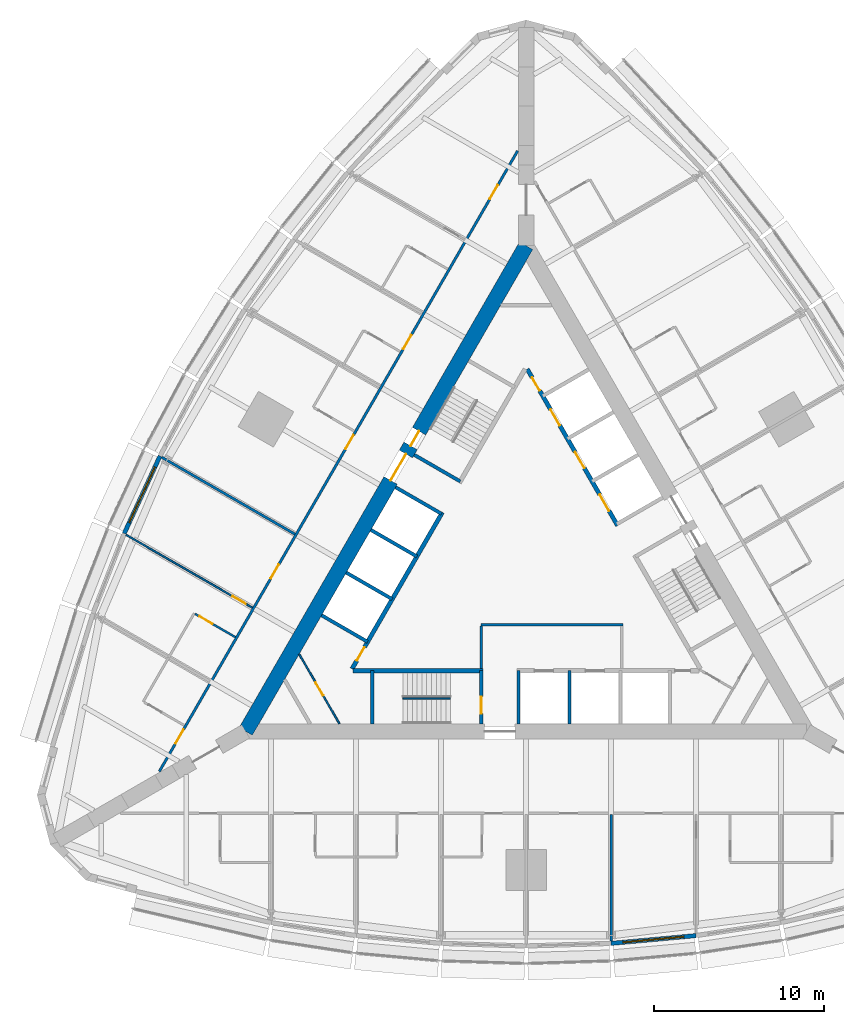
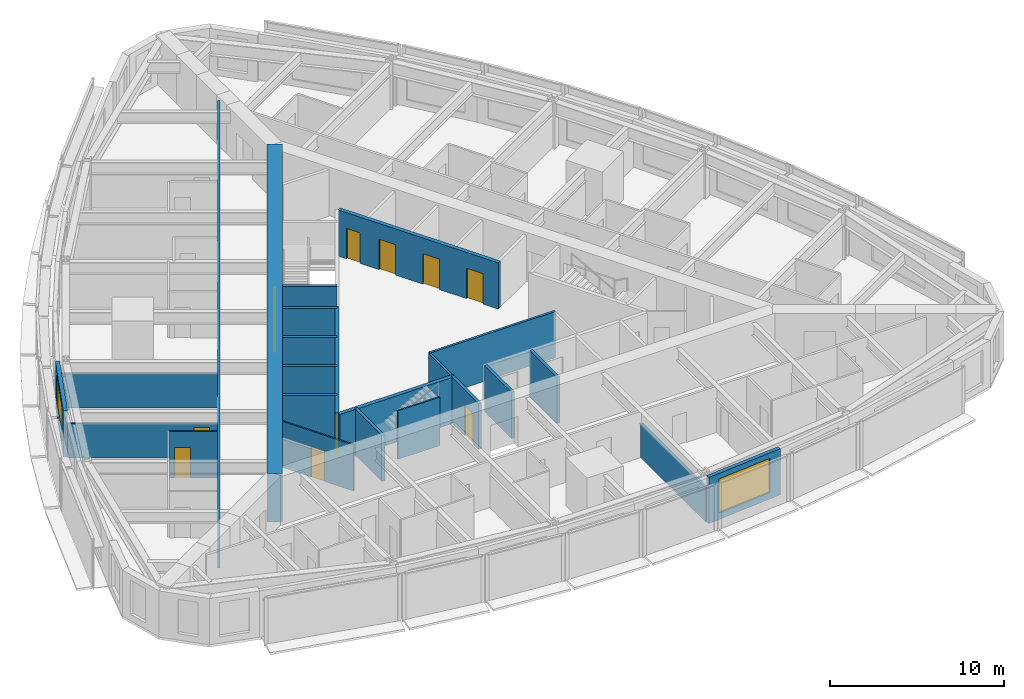
# One storey, part 9 of 14: 24 walls, 16 doors, 2 windows, 18 openings.
"""IFC4 building model written with IfcOpenShell, lengths in metres."""

from ifc_helpers import new_model, si_unit, direction, frame, frame_2d, origin, place, context, subcontext, project, spatial, rectangle, extrude, material, layer, layer_set, type_object, element, fill, save


model = new_model("IFC4")

# Units and contexts
model_context = context("Model", 3, precision=1e-05, world=origin(), true_north=direction((0.0, 1.0)))
body_context = subcontext(model_context, "Body", "Model", "MODEL_VIEW")
ifc_project = project(units=[si_unit("LENGTHUNIT", "METRE"), si_unit("AREAUNIT", "SQUARE_METRE"), si_unit("VOLUMEUNIT", "CUBIC_METRE"), si_unit("PLANEANGLEUNIT", "RADIAN"), si_unit("MASSUNIT", "GRAM", prefix="KILO")], contexts=[model_context])

# Site, building, storey
site_placement = place(None, origin())
site = spatial("IfcSite", under=ifc_project, at=site_placement, CompositionType="ELEMENT")
building_placement = place(site_placement, origin())
building = spatial("IfcBuilding", under=site, at=building_placement, Name="Trikona Tower", CompositionType="ELEMENT")
storey_placement = place(building_placement, frame((0.0, 0.0, 59.10009765625)))
storey = spatial("IfcBuildingStorey", under=building, at=storey_placement, Name="L14", CompositionType="ELEMENT", Elevation=59.10009765625)

# Wall, opening, door
ifc_material_1 = material(Name="Metal stud and cement board", Category="gypsum")
ifc_layer_1 = layer(ifc_material_1, 0.1201171875)
ifc_layer_set_1 = layer_set([ifc_layer_1], Name="Bathroom wall 120")
wall_type_1 = type_object("IfcWallType", Name="Bathroom wall 120", PredefinedType="PLUMBINGWALL", material=ifc_layer_set_1)
wall_1_placement = place(storey_placement, frame((-17.10791015625, -3.979248046875, 0.0), z_axis=(0.0, 0.0, 1.0), x_axis=(-0.865997131366, 0.500048966069, 0.0)))
wall_1 = element("IfcWall", 1, at=wall_1_placement, inside=storey, type_object=wall_type_1, Name="Bathroom wall 1416.1", PredefinedType="PLUMBINGWALL", context=body_context, shape_type="SweptSolid", body=[
    extrude(rectangle(XDim=2.739990234375, YDim=0.1201171875, at=frame_2d((1.3701171875, 0.0))), origin(), (0.0, 0.0, 1.0), 3.23486328125),
])
opening_1_placement = place(wall_1_placement, frame((1.550048828125, 0.0, 0.0)))
opening_1 = element("IfcOpeningElement", 2, at=opening_1_placement, cuts=wall_1, Name="Opening D2", PredefinedType="OPENING", context=body_context, shape_type="SweptSolid", body=[
    extrude(rectangle(XDim=0.89990234375, YDim=2.1298828125, at=frame_2d((0.449951171875, 1.06494140625))), frame((0.0, 0.070068359375, 0.0), z_axis=(0.0, -1.0, 0.0), x_axis=(1.0, 0.0, 0.0)), (0.0, 0.0, 1.0), 0.14013671875),
])
ifc_material_2 = material(Name="Steel door frame with solid-core timber leaf", Category="steel")
door_type_1 = type_object("IfcDoorType", Name="Bathroom door 900x2130", OperationType="SLIDING_TO_LEFT", PredefinedType="DOOR", material=ifc_material_2)
door_1_placement = place(opening_1_placement, origin())
door_1 = element("IfcDoor", 3, at=door_1_placement, inside=storey, type_object=door_type_1, Name="Bathroom door 1416.1", OperationType="SLIDING_TO_LEFT", OverallHeight=2.1298828125, OverallWidth=0.89990234375, PredefinedType="DOOR", context=body_context, shape_type="SweptSolid", body=[
    extrude(rectangle(XDim=0.89990234375, YDim=2.1298828125, at=frame_2d((0.449951171875, 1.06494140625))), frame((0.0, 0.02490234375, 0.0), z_axis=(0.0, -1.0, 0.0), x_axis=(1.0, 0.0, 0.0)), (0.0, 0.0, 1.0), 0.050048828125),
])
fill(opening_1, door_1)

# Wall, openings, doors
ifc_material_3 = material(Name="Concrete f'c 10000 psi", Category="concrete")
ifc_layer_2 = layer(ifc_material_3, 0.89990234375)
ifc_layer_set_2 = layer_set([ifc_layer_2], Name="Core wall 900")
wall_type_2 = type_object("IfcWallType", Name="Core wall 900", PredefinedType="SHEAR", material=ifc_layer_set_2)
wall_2_placement = place(storey_placement, frame((0.0, 19.052490234375, 0.0), z_axis=(0.0, 0.0, 1.0), x_axis=(-0.499999749417, -0.866025548458, 0.0)))
wall_2 = element("IfcWall", 4, at=wall_2_placement, inside=storey, type_object=wall_type_2, Name="Core wall C", PredefinedType="SHEAR", context=body_context, shape_type="SweptSolid", body=[
    extrude(rectangle(XDim=33.0, YDim=0.89990234375, at=frame_2d((16.5, 0.0))), origin(), (0.0, 0.0, 1.0), 3.39990234375),
])
opening_2_placement = place(wall_2_placement, frame((14.14990234375, 0.0, 0.0)))
opening_2 = element("IfcOpeningElement", 5, at=opening_2_placement, cuts=wall_2, Name="Opening D6", PredefinedType="OPENING", context=body_context, shape_type="SweptSolid", body=[
    extrude(rectangle(XDim=1.800048828125, YDim=2.1298828125, at=frame_2d((0.89990234375, 1.06494140625))), frame((0.0, 0.4599609375, 0.0), z_axis=(0.0, -1.0, 0.0), x_axis=(1.0, 0.0, 0.0)), (0.0, 0.0, 1.0), 0.919921875),
])
opening_3_placement = place(wall_2_placement, frame((12.60009765625, 0.0, 0.0)))
opening_3 = element("IfcOpeningElement", 6, at=opening_3_placement, cuts=wall_2, Name="Opening D5", PredefinedType="OPENING", context=body_context, shape_type="SweptSolid", body=[
    extrude(rectangle(XDim=1.0, YDim=2.1298828125, at=frame_2d((0.5, 1.06494140625))), frame((0.0, 0.4599609375, 0.0), z_axis=(0.0, -1.0, 0.0), x_axis=(1.0, 0.0, 0.0)), (0.0, 0.0, 1.0), 0.919921875),
])
ifc_material_4 = material(Name="Hollow metal door and frame", Category="steel")
door_type_2 = type_object("IfcDoorType", Name="Lobby door pair 1800x2130", OperationType="DOUBLE_DOOR_SINGLE_SWING", PredefinedType="DOOR", material=ifc_material_4)
door_2_placement = place(opening_2_placement, origin())
door_2 = element("IfcDoor", 7, at=door_2_placement, inside=storey, type_object=door_type_2, Name="Lift lobby door C", OperationType="DOUBLE_DOOR_SINGLE_SWING", OverallHeight=2.1298828125, OverallWidth=1.800048828125, PredefinedType="DOOR", context=body_context, shape_type="SweptSolid", body=[
    extrude(rectangle(XDim=1.800048828125, YDim=2.1298828125, at=frame_2d((0.89990234375, 1.06494140625))), frame((0.0, 0.02490234375, 0.0), z_axis=(0.0, -1.0, 0.0), x_axis=(1.0, 0.0, 0.0)), (0.0, 0.0, 1.0), 0.050048828125),
])
fill(opening_2, door_2)
ifc_material_5 = material(Name="Hollow metal door and frame", Category="steel")
door_type_3 = type_object("IfcDoorType", Name="Stair door 1000x2130", OperationType="SINGLE_SWING_LEFT", PredefinedType="DOOR", material=ifc_material_5)
door_3_placement = place(opening_3_placement, origin())
door_3 = element("IfcDoor", 8, at=door_3_placement, inside=storey, type_object=door_type_3, Name="Stair C door", OperationType="SINGLE_SWING_RIGHT", OverallHeight=2.1298828125, OverallWidth=1.0, PredefinedType="DOOR", context=body_context, shape_type="SweptSolid", body=[
    extrude(rectangle(XDim=1.0, YDim=2.1298828125, at=frame_2d((0.5, 1.06494140625))), frame((0.0, 0.02490234375, 0.0), z_axis=(0.0, -1.0, 0.0), x_axis=(1.0, 0.0, 0.0)), (0.0, 0.0, 1.0), 0.050048828125),
])
fill(opening_3, door_3)

ifc_material_6 = material(Name="Metal stud and gypsum board, 1-hour", Category="gypsum")
ifc_layer_3 = layer(ifc_material_6, 0.14990234375)
ifc_layer_set_3 = layer_set([ifc_layer_3], Name="Corridor wall 150")
wall_type_3 = type_object("IfcWallType", Name="Corridor wall 150", PredefinedType="PARTITIONING", material=ifc_layer_set_3)
wall_3_placement = place(storey_placement, frame((-0.5, 24.636474609375, 0.0), z_axis=(0.0, 0.0, 1.0), x_axis=(-0.500001915564, -0.86602429783, 0.0)))
wall_3 = element("IfcWall", 9, at=wall_3_placement, inside=storey, type_object=wall_type_3, Name="Corridor wall L14-3", PredefinedType="PARTITIONING", context=body_context, shape_type="SweptSolid", body=[
    extrude(rectangle(XDim=42.171630859375, YDim=0.14990234375, at=frame_2d((21.0859375, 0.0))), origin(), (0.0, 0.0, 1.0), 3.23486328125),
])
opening_4_placement = place(wall_3_placement, frame((2.337646484375, 0.0, 0.0)))
opening_4 = element("IfcOpeningElement", 10, at=opening_4_placement, cuts=wall_3, Name="Opening D1", PredefinedType="OPENING", context=body_context, shape_type="SweptSolid", body=[
    extrude(rectangle(XDim=0.949951171875, YDim=2.1298828125, at=frame_2d((0.47509765625, 1.06494140625))), frame((0.0, 0.0849609375, 0.0), z_axis=(0.0, -1.0, 0.0), x_axis=(1.0, 0.0, 0.0)), (0.0, 0.0, 1.0), 0.169921875),
])
opening_5_placement = place(wall_3_placement, frame((12.510986328125, 0.0, 0.0)))
opening_5 = element("IfcOpeningElement", 11, at=opening_5_placement, cuts=wall_3, Name="Opening D1", PredefinedType="OPENING", context=body_context, shape_type="SweptSolid", body=[
    extrude(rectangle(XDim=0.949951171875, YDim=2.1298828125, at=frame_2d((0.47509765625, 1.06494140625))), frame((0.0, 0.0849609375, 0.0), z_axis=(0.0, -1.0, 0.0), x_axis=(1.0, 0.0, 0.0)), (0.0, 0.0, 1.0), 0.169921875),
])
opening_6_placement = place(wall_3_placement, frame((19.310791015625, 0.0, 0.0)))
opening_6 = element("IfcOpeningElement", 12, at=opening_6_placement, cuts=wall_3, Name="Opening D1", PredefinedType="OPENING", context=body_context, shape_type="SweptSolid", body=[
    extrude(rectangle(XDim=0.949951171875, YDim=2.1298828125, at=frame_2d((0.47509765625, 1.06494140625))), frame((0.0, 0.0849609375, 0.0), z_axis=(0.0, -1.0, 0.0), x_axis=(1.0, 0.0, 0.0)), (0.0, 0.0, 1.0), 0.169921875),
])
opening_7_placement = place(wall_3_placement, frame((28.11083984375, 0.0, 0.0)))
opening_7 = element("IfcOpeningElement", 13, at=opening_7_placement, cuts=wall_3, Name="Opening D1", PredefinedType="OPENING", context=body_context, shape_type="SweptSolid", body=[
    extrude(rectangle(XDim=0.949951171875, YDim=2.1298828125, at=frame_2d((0.47509765625, 1.06494140625))), frame((0.0, 0.0849609375, 0.0), z_axis=(0.0, -1.0, 0.0), x_axis=(1.0, 0.0, 0.0)), (0.0, 0.0, 1.0), 0.169921875),
])
opening_8_placement = place(wall_3_placement, frame((39.310791015625, 0.0, 0.0)))
opening_8 = element("IfcOpeningElement", 14, at=opening_8_placement, cuts=wall_3, Name="Opening D1", PredefinedType="OPENING", context=body_context, shape_type="SweptSolid", body=[
    extrude(rectangle(XDim=0.949951171875, YDim=2.1298828125, at=frame_2d((0.47509765625, 1.06494140625))), frame((0.0, 0.0849609375, 0.0), z_axis=(0.0, -1.0, 0.0), x_axis=(1.0, 0.0, 0.0)), (0.0, 0.0, 1.0), 0.169921875),
])
ifc_material_7 = material(Name="Steel door frame with solid-core timber leaf", Category="steel")
door_type_4 = type_object("IfcDoorType", Name="Guest room door 950x2130", OperationType="SINGLE_SWING_LEFT", PredefinedType="DOOR", material=ifc_material_7)
door_4_placement = place(opening_4_placement, origin())
door_4 = element("IfcDoor", 15, at=door_4_placement, inside=storey, type_object=door_type_4, Name="Room door 1413", OperationType="SINGLE_SWING_LEFT", OverallHeight=2.1298828125, OverallWidth=0.949951171875, PredefinedType="DOOR", context=body_context, shape_type="SweptSolid", body=[
    extrude(rectangle(XDim=0.949951171875, YDim=2.1298828125, at=frame_2d((0.47509765625, 1.06494140625))), frame((0.0, 0.02490234375, 0.0), z_axis=(0.0, -1.0, 0.0), x_axis=(1.0, 0.0, 0.0)), (0.0, 0.0, 1.0), 0.050048828125),
])
fill(opening_4, door_4)
door_5_placement = place(opening_5_placement, origin())
door_5 = element("IfcDoor", 16, at=door_5_placement, inside=storey, type_object=door_type_4, Name="Room door 1414", OperationType="SINGLE_SWING_RIGHT", OverallHeight=2.1298828125, OverallWidth=0.949951171875, PredefinedType="DOOR", context=body_context, shape_type="SweptSolid", body=[
    extrude(rectangle(XDim=0.949951171875, YDim=2.1298828125, at=frame_2d((0.47509765625, 1.06494140625))), frame((0.0, 0.02490234375, 0.0), z_axis=(0.0, -1.0, 0.0), x_axis=(1.0, 0.0, 0.0)), (0.0, 0.0, 1.0), 0.050048828125),
])
fill(opening_5, door_5)
door_6_placement = place(opening_6_placement, origin())
door_6 = element("IfcDoor", 17, at=door_6_placement, inside=storey, type_object=door_type_4, Name="Room door 1415", OperationType="SINGLE_SWING_LEFT", OverallHeight=2.1298828125, OverallWidth=0.949951171875, PredefinedType="DOOR", context=body_context, shape_type="SweptSolid", body=[
    extrude(rectangle(XDim=0.949951171875, YDim=2.1298828125, at=frame_2d((0.47509765625, 1.06494140625))), frame((0.0, 0.02490234375, 0.0), z_axis=(0.0, -1.0, 0.0), x_axis=(1.0, 0.0, 0.0)), (0.0, 0.0, 1.0), 0.050048828125),
])
fill(opening_6, door_6)
door_7_placement = place(opening_7_placement, origin())
door_7 = element("IfcDoor", 18, at=door_7_placement, inside=storey, type_object=door_type_4, Name="Room door 1416", OperationType="SINGLE_SWING_RIGHT", OverallHeight=2.1298828125, OverallWidth=0.949951171875, PredefinedType="DOOR", context=body_context, shape_type="SweptSolid", body=[
    extrude(rectangle(XDim=0.949951171875, YDim=2.1298828125, at=frame_2d((0.47509765625, 1.06494140625))), frame((0.0, 0.02490234375, 0.0), z_axis=(0.0, -1.0, 0.0), x_axis=(1.0, 0.0, 0.0)), (0.0, 0.0, 1.0), 0.050048828125),
])
fill(opening_7, door_7)
door_8_placement = place(opening_8_placement, origin())
door_8 = element("IfcDoor", 19, at=door_8_placement, inside=storey, type_object=door_type_4, Name="Room door 1417", OperationType="SINGLE_SWING_RIGHT", OverallHeight=2.1298828125, OverallWidth=0.949951171875, PredefinedType="DOOR", context=body_context, shape_type="SweptSolid", body=[
    extrude(rectangle(XDim=0.949951171875, YDim=2.1298828125, at=frame_2d((0.47509765625, 1.06494140625))), frame((0.0, 0.02490234375, 0.0), z_axis=(0.0, -1.0, 0.0), x_axis=(1.0, 0.0, 0.0)), (0.0, 0.0, 1.0), 0.050048828125),
])
fill(opening_8, door_8)

# Wall
ifc_material_8 = material(Name="Concrete f'c 8000 psi", Category="concrete")
ifc_layer_4 = layer(ifc_material_8, 0.25)
ifc_layer_set_4 = layer_set([ifc_layer_4], Name="Hub wall 250")
wall_type_4 = type_object("IfcWallType", Name="Hub wall 250", PredefinedType="SOLIDWALL", material=ifc_layer_set_4)
wall_4_placement = place(storey_placement, frame((-10.182861328125, -5.951416015625, 0.0), z_axis=(0.0, 0.0, 1.0), x_axis=(1.0, 0.0, 0.0)))
element("IfcWall", 20, at=wall_4_placement, inside=storey, type_object=wall_type_4, Name="Lift lobby wall A1", PredefinedType="SOLIDWALL", context=body_context, shape_type="SweptSolid", body=[
    extrude(rectangle(XDim=7.6328125, YDim=0.25, at=frame_2d((3.81640625, 0.0))), origin(), (0.0, 0.0, 1.0), 3.23486328125),
])

# Wall, openings, doors
wall_5_placement = place(storey_placement, frame((5.37890625, 2.5859375, 0.0), z_axis=(0.0, 0.0, 1.0), x_axis=(-0.500001375892, 0.866024609411, 0.0)))
wall_5 = element("IfcWall", 21, at=wall_5_placement, inside=storey, type_object=wall_type_4, Name="Lift lobby wall B2", PredefinedType="SOLIDWALL", context=body_context, shape_type="SweptSolid", body=[
    extrude(rectangle(XDim=10.6328125, YDim=0.25, at=frame_2d((5.31640625, 0.0))), origin(), (0.0, 0.0, 1.0), 3.23486328125),
])
opening_9_placement = place(wall_5_placement, frame((9.1640625, 0.0, 0.0)))
opening_9 = element("IfcOpeningElement", 22, at=opening_9_placement, cuts=wall_5, Name="Opening D14", PredefinedType="OPENING", context=body_context, shape_type="SweptSolid", body=[
    extrude(rectangle(XDim=0.89990234375, YDim=2.1298828125, at=frame_2d((0.449951171875, 1.06494140625))), frame((0.0, 0.135009765625, 0.0), z_axis=(0.0, -1.0, 0.0), x_axis=(1.0, 0.0, 0.0)), (0.0, 0.0, 1.0), 0.27001953125),
])
opening_10_placement = place(wall_5_placement, frame((1.0, 0.0, 0.0)))
opening_10 = element("IfcOpeningElement", 23, at=opening_10_placement, cuts=wall_5, Name="Opening LD", PredefinedType="OPENING", context=body_context, shape_type="SweptSolid", body=[
    extrude(rectangle(XDim=1.10009765625, YDim=2.1298828125, at=frame_2d((0.550048828125, 1.06494140625))), frame((0.0, 0.135009765625, 0.0), z_axis=(0.0, -1.0, 0.0), x_axis=(1.0, 0.0, 0.0)), (0.0, 0.0, 1.0), 0.27001953125),
])
opening_11_placement = place(wall_5_placement, frame((3.89990234375, 0.0, 0.0)))
opening_11 = element("IfcOpeningElement", 24, at=opening_11_placement, cuts=wall_5, Name="Opening LD", PredefinedType="OPENING", context=body_context, shape_type="SweptSolid", body=[
    extrude(rectangle(XDim=1.10009765625, YDim=2.1298828125, at=frame_2d((0.550048828125, 1.06494140625))), frame((0.0, 0.135009765625, 0.0), z_axis=(0.0, -1.0, 0.0), x_axis=(1.0, 0.0, 0.0)), (0.0, 0.0, 1.0), 0.27001953125),
])
opening_12_placement = place(wall_5_placement, frame((6.800048828125, 0.0, 0.0)))
opening_12 = element("IfcOpeningElement", 25, at=opening_12_placement, cuts=wall_5, Name="Opening LD", PredefinedType="OPENING", context=body_context, shape_type="SweptSolid", body=[
    extrude(rectangle(XDim=1.10009765625, YDim=2.1298828125, at=frame_2d((0.550048828125, 1.06494140625))), frame((0.0, 0.135009765625, 0.0), z_axis=(0.0, -1.0, 0.0), x_axis=(1.0, 0.0, 0.0)), (0.0, 0.0, 1.0), 0.27001953125),
])
ifc_material_9 = material(Name="Stainless steel lift landing door", Category="steel")
door_type_5 = type_object("IfcDoorType", Name="Lift landing door 1100x2130", OperationType="DOUBLE_DOOR_SLIDING", PredefinedType="USERDEFINED", material=ifc_material_9)
door_9_placement = place(opening_10_placement, origin())
door_9 = element("IfcDoor", 26, at=door_9_placement, inside=storey, type_object=door_type_5, Name="Lift landing door L1-1", ObjectType="LIFT LANDING DOOR", OperationType="DOUBLE_DOOR_SLIDING", OverallHeight=2.1298828125, OverallWidth=1.10009765625, PredefinedType="USERDEFINED", context=body_context, shape_type="SweptSolid", body=[
    extrude(rectangle(XDim=1.10009765625, YDim=2.1298828125, at=frame_2d((0.550048828125, 1.06494140625))), frame((0.0, 0.02490234375, 0.0), z_axis=(0.0, -1.0, 0.0), x_axis=(1.0, 0.0, 0.0)), (0.0, 0.0, 1.0), 0.050048828125),
])
fill(opening_10, door_9)
door_10_placement = place(opening_11_placement, origin())
door_10 = element("IfcDoor", 27, at=door_10_placement, inside=storey, type_object=door_type_5, Name="Lift landing door L1-2", ObjectType="LIFT LANDING DOOR", OperationType="DOUBLE_DOOR_SLIDING", OverallHeight=2.1298828125, OverallWidth=1.10009765625, PredefinedType="USERDEFINED", context=body_context, shape_type="SweptSolid", body=[
    extrude(rectangle(XDim=1.10009765625, YDim=2.1298828125, at=frame_2d((0.550048828125, 1.06494140625))), frame((0.0, 0.02490234375, 0.0), z_axis=(0.0, -1.0, 0.0), x_axis=(1.0, 0.0, 0.0)), (0.0, 0.0, 1.0), 0.050048828125),
])
fill(opening_11, door_10)
door_11_placement = place(opening_12_placement, origin())
door_11 = element("IfcDoor", 28, at=door_11_placement, inside=storey, type_object=door_type_5, Name="Lift landing door L1-3", ObjectType="LIFT LANDING DOOR", OperationType="DOUBLE_DOOR_SLIDING", OverallHeight=2.1298828125, OverallWidth=1.10009765625, PredefinedType="USERDEFINED", context=body_context, shape_type="SweptSolid", body=[
    extrude(rectangle(XDim=1.10009765625, YDim=2.1298828125, at=frame_2d((0.550048828125, 1.06494140625))), frame((0.0, 0.02490234375, 0.0), z_axis=(0.0, -1.0, 0.0), x_axis=(1.0, 0.0, 0.0)), (0.0, 0.0, 1.0), 0.050048828125),
])
fill(opening_12, door_11)
ifc_material_10 = material(Name="Hollow metal door and frame", Category="steel")
door_type_6 = type_object("IfcDoorType", Name="Service room door 900x2130", OperationType="SINGLE_SWING_LEFT", PredefinedType="DOOR", material=ifc_material_10)
door_12_placement = place(opening_9_placement, origin())
door_12 = element("IfcDoor", 29, at=door_12_placement, inside=storey, type_object=door_type_6, Name="Door Ice and vending ICE", OperationType="SINGLE_SWING_RIGHT", OverallHeight=2.1298828125, OverallWidth=0.89990234375, PredefinedType="DOOR", context=body_context, shape_type="SweptSolid", body=[
    extrude(rectangle(XDim=0.89990234375, YDim=2.1298828125, at=frame_2d((0.449951171875, 1.06494140625))), frame((0.0, 0.02490234375, 0.0), z_axis=(0.0, -1.0, 0.0), x_axis=(1.0, 0.0, 0.0)), (0.0, 0.0, 1.0), 0.050048828125),
])
fill(opening_9, door_12)

# Wall, opening, door
wall_6_placement = place(storey_placement, frame((-4.928955078125, 3.365478515625, 0.0), z_axis=(0.0, 0.0, 1.0), x_axis=(-0.499991433582, -0.866030349552, 0.0)))
wall_6 = element("IfcWall", 30, at=wall_6_placement, inside=storey, type_object=wall_type_4, Name="Lift lobby wall C2", PredefinedType="SOLIDWALL", context=body_context, shape_type="SweptSolid", body=[
    extrude(rectangle(XDim=10.633056640625, YDim=0.25, at=frame_2d((5.31640625, 0.0))), origin(), (0.0, 0.0, 1.0), 3.23486328125),
])
opening_13_placement = place(wall_6_placement, frame((9.1640625, 0.0, 0.0)))
opening_13 = element("IfcOpeningElement", 31, at=opening_13_placement, cuts=wall_6, Name="Opening D14", PredefinedType="OPENING", context=body_context, shape_type="SweptSolid", body=[
    extrude(rectangle(XDim=0.89990234375, YDim=2.1298828125, at=frame_2d((0.449951171875, 1.06494140625))), frame((0.0, 0.135009765625, 0.0), z_axis=(0.0, -1.0, 0.0), x_axis=(1.0, 0.0, 0.0)), (0.0, 0.0, 1.0), 0.27001953125),
])
door_13_placement = place(opening_13_placement, origin())
door_13 = element("IfcDoor", 32, at=door_13_placement, inside=storey, type_object=door_type_6, Name="Door Housekeeping store HKS", OperationType="SINGLE_SWING_RIGHT", OverallHeight=2.1298828125, OverallWidth=0.89990234375, PredefinedType="DOOR", context=body_context, shape_type="SweptSolid", body=[
    extrude(rectangle(XDim=0.89990234375, YDim=2.1298828125, at=frame_2d((0.449951171875, 1.06494140625))), frame((0.0, 0.02490234375, 0.0), z_axis=(0.0, -1.0, 0.0), x_axis=(1.0, 0.0, 0.0)), (0.0, 0.0, 1.0), 0.050048828125),
])
fill(opening_13, door_13)

# Wall, opening, window
ifc_material_11 = material(Name="Insulated precast concrete spandrel panel", Category="concrete")
ifc_layer_5 = layer(ifc_material_11, 0.25)
ifc_layer_set_5 = layer_set([ifc_layer_5], Name="Inner skin wall 250")
wall_type_5 = type_object("IfcWallType", Name="Inner skin wall 250", PredefinedType="STANDARD", material=ifc_layer_set_5)
wall_7_placement = place(storey_placement, frame((4.988525390625, -21.995849609375, 0.0), z_axis=(0.0, 0.0, 1.0), x_axis=(0.995857256774, 0.090930325692, 0.0)))
wall_7 = element("IfcWall", 33, at=wall_7_placement, inside=storey, type_object=wall_type_5, Name="External wall L14-05", PredefinedType="STANDARD", context=body_context, shape_type="SweptSolid", body=[
    extrude(rectangle(XDim=5.020751953125, YDim=0.25, at=frame_2d((2.51025390625, 0.0))), origin(), (0.0, 0.0, 1.0), 3.23486328125),
])
opening_14_placement = place(wall_7_placement, frame((0.71044921875, 0.0, 0.449951171875)))
opening_14 = element("IfcOpeningElement", 34, at=opening_14_placement, cuts=wall_7, Name="Opening W3624", PredefinedType="OPENING", context=body_context, shape_type="SweptSolid", body=[
    extrude(rectangle(XDim=3.60009765625, YDim=2.39990234375, at=frame_2d((1.800048828125, 1.199951171875))), frame((0.0, 0.135009765625, 0.0), z_axis=(0.0, -1.0, 0.0), x_axis=(1.0, 0.0, 0.0)), (0.0, 0.0, 1.0), 0.27001953125),
])
ifc_material_12 = material(Name="Aluminium-framed double glazing", Category="aluminium")
window_type = type_object("IfcWindowType", Name="Window 3600x2400", PartitioningType="SINGLE_PANEL", PredefinedType="WINDOW", material=ifc_material_12)
window_1_placement = place(opening_14_placement, origin())
window_1 = element("IfcWindow", 35, at=window_1_placement, inside=storey, type_object=window_type, Name="Window 1405", OverallHeight=2.39990234375, OverallWidth=3.60009765625, PartitioningType="SINGLE_PANEL", PredefinedType="WINDOW", context=body_context, shape_type="SweptSolid", body=[
    extrude(rectangle(XDim=3.60009765625, YDim=2.39990234375, at=frame_2d((1.800048828125, 1.199951171875))), frame((0.0, 0.030029296875, 0.0), z_axis=(0.0, -1.0, 0.0), x_axis=(1.0, 0.0, 0.0)), (0.0, 0.0, 1.0), 0.06005859375),
])
fill(opening_14, window_1)

wall_8_placement = place(storey_placement, frame((-21.543212890625, 6.677734375, 0.0), z_axis=(0.0, 0.0, 1.0), x_axis=(-0.419203100754, -0.907892482796, 0.0)))
wall_8 = element("IfcWall", 36, at=wall_8_placement, inside=storey, type_object=wall_type_5, Name="External wall L14-29", PredefinedType="STANDARD", context=body_context, shape_type="SweptSolid", body=[
    extrude(rectangle(XDim=5.020751953125, YDim=0.25, at=frame_2d((2.51025390625, 0.0))), origin(), (0.0, 0.0, 1.0), 3.23486328125),
])
opening_15_placement = place(wall_8_placement, frame((0.71044921875, 0.0, 0.449951171875)))
opening_15 = element("IfcOpeningElement", 37, at=opening_15_placement, cuts=wall_8, Name="Opening W3624", PredefinedType="OPENING", context=body_context, shape_type="SweptSolid", body=[
    extrude(rectangle(XDim=3.60009765625, YDim=2.39990234375, at=frame_2d((1.800048828125, 1.199951171875))), frame((0.0, 0.135009765625, 0.0), z_axis=(0.0, -1.0, 0.0), x_axis=(1.0, 0.0, 0.0)), (0.0, 0.0, 1.0), 0.27001953125),
])
window_2_placement = place(opening_15_placement, origin())
window_2 = element("IfcWindow", 38, at=window_2_placement, inside=storey, type_object=window_type, Name="Window 1416", OverallHeight=2.39990234375, OverallWidth=3.60009765625, PartitioningType="SINGLE_PANEL", PredefinedType="WINDOW", context=body_context, shape_type="SweptSolid", body=[
    extrude(rectangle(XDim=3.60009765625, YDim=2.39990234375, at=frame_2d((1.800048828125, 1.199951171875))), frame((0.0, 0.030029296875, 0.0), z_axis=(0.0, -1.0, 0.0), x_axis=(1.0, 0.0, 0.0)), (0.0, 0.0, 1.0), 0.06005859375),
])
fill(opening_15, window_2)

# Walls
ifc_material_13 = material(Name="Metal stud and gypsum board, 2-hour shaft wall", Category="gypsum")
ifc_layer_6 = layer(ifc_material_13, 0.14990234375)
ifc_layer_set_6 = layer_set([ifc_layer_6], Name="Lobby wall 150")
wall_type_6 = type_object("IfcWallType", Name="Lobby wall 150", PredefinedType="PARTITIONING", material=ifc_layer_set_6)
wall_9_placement = place(storey_placement, frame((-2.64990234375, -3.251220703125, 0.0), z_axis=(0.0, 0.0, 1.0), x_axis=(1.0, 0.0, 0.0)))
element("IfcWall", 39, at=wall_9_placement, inside=storey, type_object=wall_type_6, Name="Fire service lift lobby wall 1", PredefinedType="PARTITIONING", context=body_context, shape_type="SweptSolid", body=[
    extrude(rectangle(XDim=8.349853515625, YDim=0.14990234375, at=frame_2d((4.1748046875, 0.0))), origin(), (0.0, 0.0, 1.0), 3.23486328125),
])
wall_10_placement = place(storey_placement, frame((-2.64990234375, -5.826416015625, 0.0), z_axis=(0.0, 0.0, 1.0), x_axis=(0.0, 1.0, 0.0)))
element("IfcWall", 40, at=wall_10_placement, inside=storey, type_object=wall_type_6, Name="Fire service lift lobby wall 2", PredefinedType="PARTITIONING", context=body_context, shape_type="SweptSolid", body=[
    extrude(rectangle(XDim=2.5, YDim=0.14990234375, at=frame_2d((1.25, 0.0))), origin(), (0.0, 0.0, 1.0), 3.23486328125),
])
ifc_material_14 = material(Name="Metal stud and gypsum board, 1-hour acoustic", Category="gypsum")
ifc_layer_7 = layer(ifc_material_14, 0.14990234375)
ifc_layer_set_7 = layer_set([ifc_layer_7], Name="Party wall 150")
wall_type_7 = type_object("IfcWallType", Name="Party wall 150", PredefinedType="PARTITIONING", material=ifc_layer_set_7)
wall_11_placement = place(storey_placement, frame((5.0, -14.42626953125, 0.0), z_axis=(0.0, 0.0, 1.0), x_axis=(0.0, -1.0, 0.0)))
element("IfcWall", 41, at=wall_11_placement, inside=storey, type_object=wall_type_7, Name="Partition L14 F1 u5", PredefinedType="PARTITIONING", context=body_context, shape_type="SweptSolid", body=[
    extrude(rectangle(XDim=7.443115234375, YDim=0.14990234375, at=frame_2d((3.7216796875, 0.0))), origin(), (0.0, 0.0, 1.0), 2.38916015625),
])
wall_12_placement = place(storey_placement, frame((-13.60791015625, 2.0830078125, 0.0), z_axis=(0.0, 0.0, 1.0), x_axis=(-0.866028232062, 0.499995101247, 0.0)))
element("IfcWall", 42, at=wall_12_placement, inside=storey, type_object=wall_type_7, Name="Partition L14 F3 u5", PredefinedType="PARTITIONING", context=body_context, shape_type="SweptSolid", body=[
    extrude(rectangle(XDim=9.04296875, YDim=0.14990234375, at=frame_2d((4.521484375, 0.0))), origin(), (0.0, 0.0, 1.0), 2.38916015625),
])
ifc_material_15 = material(Name="Concrete f'c 8000 psi", Category="concrete")
ifc_layer_8 = layer(ifc_material_15, 0.199951171875)
ifc_layer_set_8 = layer_set([ifc_layer_8], Name="Shaft wall 200")
wall_type_8 = type_object("IfcWallType", Name="Shaft wall 200", PredefinedType="SOLIDWALL", material=ifc_layer_set_8)
for number, where, z_axis, x_axis, name in (
    (43, (-0.449951171875, -5.951416015625, 0.0), (0.0, 0.0, 1.0), (0.0, -1.0, 0.0), "Shaft wall A3"),
    (44, (2.550048828125, -5.951416015625, 0.0), (0.0, 0.0, 1.0), (0.0, -1.0, 0.0), "Shaft wall A4"),
    (45, (-4.97900390625, 3.27880859375, 0.0), (0.0, 0.0, 1.0), (-0.866022959057, 0.500004234368, 0.0), "Shaft wall C3"),
    (46, (-6.428955078125, 0.767333984375, 0.0), (0.0, 0.0, 1.0), (-0.866022959057, 0.500004234368, 0.0), "Shaft wall C4"),
    (47, (-7.87890625, -1.744140625, 0.0), (0.0, 0.0, 1.0), (-0.866022959057, 0.500004234368, 0.0), "Shaft wall C5"),
    (48, (-9.3291015625, -4.255615234375, 0.0), (0.0, 0.0, 1.0), (-0.866022959057, 0.500004234368, 0.0), "Shaft wall C6"),
):
    element("IfcWall", number, at=place(storey_placement, frame(where, z_axis=z_axis, x_axis=x_axis)), inside=storey, type_object=wall_type_8, Name=name, PredefinedType="SOLIDWALL", context=body_context, shape_type="SweptSolid", body=[
        extrude(rectangle(XDim=3.125, YDim=0.199951171875, at=frame_2d((1.5625, 0.0))), origin(), (0.0, 0.0, 1.0), 3.23486328125),
    ])
ifc_material_16 = material(Name="Concrete f'c 8000 psi", Category="concrete")
ifc_layer_9 = layer(ifc_material_16, 0.199951171875)
ifc_layer_set_9 = layer_set([ifc_layer_9], Name="Shaft wall 200 load-bearing")
wall_type_9 = type_object("IfcWallType", Name="Shaft wall 200 load-bearing", PredefinedType="SOLIDWALL", material=ifc_layer_set_9)
wall_13_placement = place(storey_placement, frame((-9.050048828125, -5.951416015625, 0.0), z_axis=(0.0, 0.0, 1.0), x_axis=(0.0, -1.0, 0.0)))
element("IfcWall", 49, at=wall_13_placement, inside=storey, type_object=wall_type_9, Name="Shaft wall A1", PredefinedType="SOLIDWALL", context=body_context, shape_type="SweptSolid", body=[
    extrude(rectangle(XDim=3.125, YDim=0.199951171875, at=frame_2d((1.5625, 0.0))), origin(), (0.0, 0.0, 1.0), 3.23486328125),
])

# Wall, opening, door
wall_14_placement = place(storey_placement, frame((-2.64990234375, -5.951416015625, 0.0), z_axis=(0.0, 0.0, 1.0), x_axis=(0.0, -1.0, 0.0)))
wall_14 = element("IfcWall", 50, at=wall_14_placement, inside=storey, type_object=wall_type_9, Name="Shaft wall A2", PredefinedType="SOLIDWALL", context=body_context, shape_type="SweptSolid", body=[
    extrude(rectangle(XDim=3.125, YDim=0.199951171875, at=frame_2d((1.5625, 0.0))), origin(), (0.0, 0.0, 1.0), 3.23486328125),
])
opening_16_placement = place(wall_14_placement, frame((1.52490234375, 0.0, 0.0)))
opening_16 = element("IfcOpeningElement", 51, at=opening_16_placement, cuts=wall_14, Name="Opening D5", PredefinedType="OPENING", context=body_context, shape_type="SweptSolid", body=[
    extrude(rectangle(XDim=1.0, YDim=2.1298828125, at=frame_2d((0.5, 1.06494140625))), frame((0.0, 0.10986328125, 0.0), z_axis=(0.0, -1.0, 0.0), x_axis=(1.0, 0.0, 0.0)), (0.0, 0.0, 1.0), 0.219970703125),
])
door_14_placement = place(opening_16_placement, origin())
door_14 = element("IfcDoor", 52, at=door_14_placement, inside=storey, type_object=door_type_3, Name="Stair A door", OperationType="SINGLE_SWING_RIGHT", OverallHeight=2.1298828125, OverallWidth=1.0, PredefinedType="DOOR", context=body_context, shape_type="SweptSolid", body=[
    extrude(rectangle(XDim=1.0, YDim=2.1298828125, at=frame_2d((0.5, 1.06494140625))), frame((0.0, 0.02490234375, 0.0), z_axis=(0.0, -1.0, 0.0), x_axis=(1.0, 0.0, 0.0)), (0.0, 0.0, 1.0), 0.050048828125),
])
fill(opening_16, door_14)

# Walls
wall_15_placement = place(storey_placement, frame((-3.87890625, 5.18408203125, 0.0), z_axis=(0.0, 0.0, 1.0), x_axis=(-0.866022959057, 0.500004234368, 0.0)))
element("IfcWall", 53, at=wall_15_placement, inside=storey, type_object=wall_type_9, Name="Shaft wall C2", PredefinedType="SOLIDWALL", context=body_context, shape_type="SweptSolid", body=[
    extrude(rectangle(XDim=3.125, YDim=0.199951171875, at=frame_2d((1.5625, 0.0))), origin(), (0.0, 0.0, 1.0), 3.23486328125),
])
ifc_material_17 = material(Name="Concrete f'c 5000 psi", Category="concrete")
ifc_layer_10 = layer(ifc_material_17, 0.10009765625)
ifc_layer_set_10 = layer_set([ifc_layer_10], Name="Stair spine wall 100")
wall_type_10 = type_object("IfcWallType", Name="Stair spine wall 100", PredefinedType="SOLIDWALL", material=ifc_layer_set_10)
wall_16_placement = place(storey_placement, frame((-7.2470703125, -7.576416015625, 0.0), z_axis=(0.0, 0.0, 1.0), x_axis=(1.0, 0.0, 0.0)))
element("IfcWall", 54, at=wall_16_placement, inside=storey, type_object=wall_type_10, Name="Stair A spine wall L14", PredefinedType="SOLIDWALL", context=body_context, shape_type="SweptSolid", body=[
    extrude(rectangle(XDim=2.794189453125, YDim=0.10009765625, at=frame_2d((1.39697265625, 0.0))), origin(), (0.0, 0.0, 1.0), 3.39990234375),
])

# Wall, opening, door
ifc_material_18 = material(Name="Metal stud and gypsum board, acoustic", Category="gypsum")
ifc_layer_11 = layer(ifc_material_18, 0.10009765625)
ifc_layer_set_11 = layer_set([ifc_layer_11], Name="Suite partition 100")
wall_type_11 = type_object("IfcWallType", Name="Suite partition 100", PredefinedType="PARTITIONING", material=ifc_layer_set_11)
wall_17_placement = place(storey_placement, frame((-16.10791015625, -2.2470703125, 0.0), z_axis=(0.0, 0.0, 1.0), x_axis=(-0.866018881988, 0.500011295912, 0.0)))
wall_17 = element("IfcWall", 55, at=wall_17_placement, inside=storey, type_object=wall_type_11, Name="Suite partition L14 F3 u10", PredefinedType="PARTITIONING", context=body_context, shape_type="SweptSolid", body=[
    extrude(rectangle(XDim=8.584716796875, YDim=0.10009765625, at=frame_2d((4.29248046875, 0.0))), origin(), (0.0, 0.0, 1.0), 2.38916015625),
])
opening_17_placement = place(wall_17_placement, frame((0.449951171875, 0.0, 0.0)))
opening_17 = element("IfcOpeningElement", 56, at=opening_17_placement, cuts=wall_17, Name="Opening D13", PredefinedType="OPENING", context=body_context, shape_type="SweptSolid", body=[
    extrude(rectangle(XDim=0.89990234375, YDim=2.1298828125, at=frame_2d((0.449951171875, 1.06494140625))), frame((0.0, 0.06005859375, 0.0), z_axis=(0.0, -1.0, 0.0), x_axis=(1.0, 0.0, 0.0)), (0.0, 0.0, 1.0), 0.1201171875),
])
ifc_material_19 = material(Name="Steel door frame with solid-core timber leaf", Category="steel")
door_type_7 = type_object("IfcDoorType", Name="Suite door 900x2130", OperationType="SINGLE_SWING_LEFT", PredefinedType="DOOR", material=ifc_material_19)
door_15_placement = place(opening_17_placement, origin())
door_15 = element("IfcDoor", 57, at=door_15_placement, inside=storey, type_object=door_type_7, Name="Suite door 1416", OperationType="SINGLE_SWING_LEFT", OverallHeight=2.1298828125, OverallWidth=0.89990234375, PredefinedType="DOOR", context=body_context, shape_type="SweptSolid", body=[
    extrude(rectangle(XDim=0.89990234375, YDim=2.1298828125, at=frame_2d((0.449951171875, 1.06494140625))), frame((0.0, 0.02490234375, 0.0), z_axis=(0.0, -1.0, 0.0), x_axis=(1.0, 0.0, 0.0)), (0.0, 0.0, 1.0), 0.050048828125),
])
fill(opening_17, door_15)

wall_18_placement = place(storey_placement, frame((-10.986328125, -9.076416015625, 0.0), z_axis=(0.0, 0.0, 1.0), x_axis=(-0.499999210213, 0.866025859768, 0.0)))
wall_18 = element("IfcWall", 58, at=wall_18_placement, inside=storey, type_object=wall_type_11, Name="Store partition L14-RS3", PredefinedType="PARTITIONING", context=body_context, shape_type="SweptSolid", body=[
    extrude(rectangle(XDim=4.734375, YDim=0.10009765625, at=frame_2d((2.3671875, 0.0))), origin(), (0.0, 0.0, 1.0), 3.23486328125),
])
opening_18_placement = place(wall_18_placement, frame((1.917236328125, 0.0, 0.0)))
opening_18 = element("IfcOpeningElement", 59, at=opening_18_placement, cuts=wall_18, Name="Opening D15", PredefinedType="OPENING", context=body_context, shape_type="SweptSolid", body=[
    extrude(rectangle(XDim=0.89990234375, YDim=2.1298828125, at=frame_2d((0.449951171875, 1.06494140625))), frame((0.0, 0.06005859375, 0.0), z_axis=(0.0, -1.0, 0.0), x_axis=(1.0, 0.0, 0.0)), (0.0, 0.0, 1.0), 0.1201171875),
])
ifc_material_20 = material(Name="Steel door frame with solid-core timber leaf", Category="steel")
door_type_8 = type_object("IfcDoorType", Name="Store door 900x2130", OperationType="SINGLE_SWING_LEFT", PredefinedType="DOOR", material=ifc_material_20)
door_16_placement = place(opening_18_placement, origin())
door_16 = element("IfcDoor", 60, at=door_16_placement, inside=storey, type_object=door_type_8, Name="Door Cleaner's store CLN", OperationType="SINGLE_SWING_RIGHT", OverallHeight=2.1298828125, OverallWidth=0.89990234375, PredefinedType="DOOR", context=body_context, shape_type="SweptSolid", body=[
    extrude(rectangle(XDim=0.89990234375, YDim=2.1298828125, at=frame_2d((0.449951171875, 1.06494140625))), frame((0.0, 0.02490234375, 0.0), z_axis=(0.0, -1.0, 0.0), x_axis=(1.0, 0.0, 0.0)), (0.0, 0.0, 1.0), 0.050048828125),
])
fill(opening_18, door_16)

save(model, "model.ifc")
